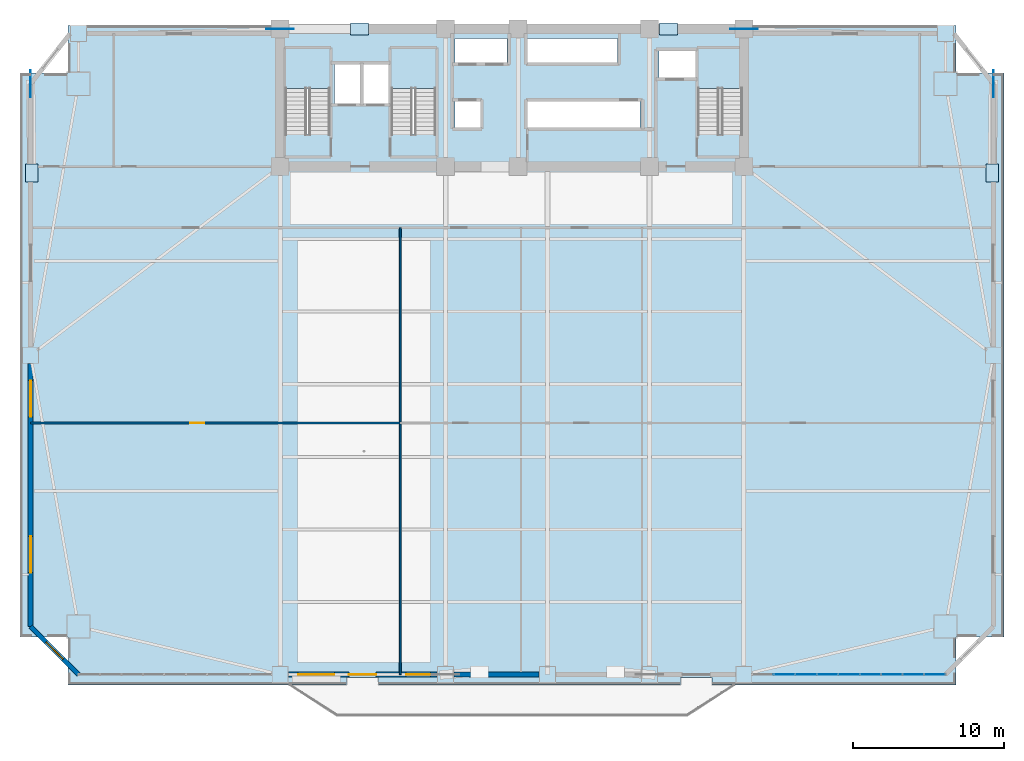
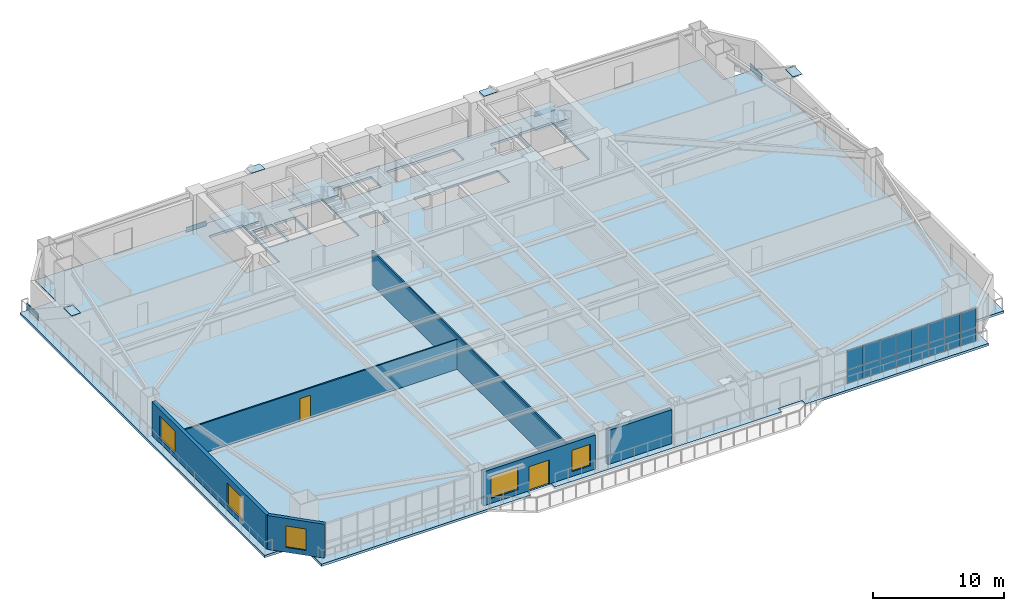
# One storey, part 8 of 17: 24 plates, 6 walls, 5 windows, 4 slabs, 2 doors, 7 openings, 4 elements without a shape of their own.
"""IFC4 building model written with IfcOpenShell, lengths in metres."""

from ifc_helpers import new_model, si_unit, direction, frame, frame_2d, origin, origin_2d, place, context, subcontext, project, spatial, polyline, rectangle, outline, extrude, source, transform, mapped, material, layer, layer_set, type_object, element, fill, aggregate, save


model = new_model("IFC4")

# Units and contexts
model_context = context("Model", 3, precision=1e-05, world=origin(), true_north=direction((0.0, 1.0)))
body_context = subcontext(model_context, "Body", "Model", "MODEL_VIEW")
ifc_project = project(units=[si_unit("LENGTHUNIT", "METRE"), si_unit("AREAUNIT", "SQUARE_METRE"), si_unit("VOLUMEUNIT", "CUBIC_METRE"), si_unit("PLANEANGLEUNIT", "RADIAN"), si_unit("MASSUNIT", "GRAM", prefix="KILO")], contexts=[model_context])

# Site, building, storey
site_placement = place(None, origin())
site = spatial("IfcSite", under=ifc_project, at=site_placement, CompositionType="ELEMENT")
building_placement = place(site_placement, origin())
building = spatial("IfcBuilding", under=site, at=building_placement, Name="Giltprow Tower", CompositionType="ELEMENT")
storey_placement = place(building_placement, frame((0.0, 0.0, 37.10009765625)))
storey = spatial("IfcBuildingStorey", under=building, at=storey_placement, Name="L09", CompositionType="ELEMENT", Elevation=37.10009765625)

# Slab
ifc_material_1 = material(Name="Concrete C40", Category="concrete")
ifc_layer_1 = layer(ifc_material_1, 0.219970703125, Name="Concrete C40")
ifc_layer_set_1 = layer_set([ifc_layer_1], Name="Concrete C40")
slab_type_1 = type_object("IfcSlabType", Name="SLB-OFF-220", PredefinedType="FLOOR", material=ifc_layer_set_1)
slab_1_placement = place(storey_placement, frame((0.0, 0.0, -0.22021484375)))
element("IfcSlab", 1, at=slab_1_placement, inside=storey, type_object=slab_type_1, Name="L09 Structural Composite Floor Slab", PredefinedType="FLOOR", context=body_context, shape_type="SweptSolid", body=[
    extrude(outline(polyline([(5.80908203125, 3.126953125), (5.80908203125, 6.300048828125), (2.635009765625, 6.300048828125), (2.635009765625, 43.6259765625), (5.80908203125, 43.6259765625), (5.80908203125, 46.800048828125), (64.591064453125, 46.800048828125), (64.591064453125, 43.6259765625), (67.764892578125, 43.6259765625), (67.764892578125, 6.300048828125), (64.591064453125, 6.300048828125), (64.591064453125, 3.126953125), (48.449951171875, 3.126953125), (48.449951171875, 3.64697265625), (46.35009765625, 3.64697265625), (46.35009765625, 3.126953125), (26.35009765625, 3.126953125), (26.35009765625, 3.64697265625), (24.25, 3.64697265625), (24.25, 3.126953125), (5.80908203125, 3.126953125)]), holes=[polyline([(33.10009765625, 41.800048828125), (31.419921875, 41.800048828125), (31.419921875, 40.0), (33.10009765625, 40.0), (33.10009765625, 41.800048828125)]), polyline([(23.159912109375, 39.570068359375), (23.159912109375, 45.25), (20.199951171875, 45.25), (20.199951171875, 39.570068359375), (23.159912109375, 39.570068359375)]), polyline([(30.159912109375, 45.25), (27.199951171875, 45.25), (27.199951171875, 39.570068359375), (30.159912109375, 39.570068359375), (30.159912109375, 45.25)]), polyline([(25.169921875, 41.60009765625), (25.169921875, 44.199951171875), (23.449951171875, 44.199951171875), (23.449951171875, 41.60009765625), (25.169921875, 41.60009765625)]), polyline([(27.10009765625, 41.60009765625), (27.10009765625, 44.199951171875), (25.35009765625, 44.199951171875), (25.35009765625, 41.60009765625), (27.10009765625, 41.60009765625)]), polyline([(43.659912109375, 40.0), (43.659912109375, 41.800048828125), (36.239990234375, 41.800048828125), (36.239990234375, 40.0), (43.659912109375, 40.0)]), polyline([(50.4599609375, 39.570068359375), (50.4599609375, 45.25), (47.5, 45.25), (47.5, 39.570068359375), (50.4599609375, 39.570068359375)]), polyline([(47.3798828125, 45.10009765625), (44.919921875, 45.10009765625), (44.919921875, 43.300048828125), (47.3798828125, 43.300048828125), (47.3798828125, 45.10009765625)]), polyline([(34.8798828125, 44.300048828125), (34.8798828125, 45.919921875), (31.419921875, 45.919921875), (31.419921875, 44.300048828125), (34.8798828125, 44.300048828125)]), polyline([(42.169921875, 44.300048828125), (42.169921875, 45.919921875), (36.239990234375, 45.919921875), (36.239990234375, 44.300048828125), (42.169921875, 44.300048828125)])]), origin(), (0.0, 0.0, 1.0), 0.22021484375),
])

# Stair, slab
stair_type_1 = type_object("IfcStairType", Name="STR-ST-1", PredefinedType="HALF_TURN_STAIR", material=ifc_material_1)
stair_1_placement = place(storey_placement, origin())
stair_1 = element("IfcStair", 2, at=stair_1_placement, inside=storey, type_object=stair_type_1, Name="L09 Core Exit Stair ST-1", PredefinedType="HALF_TURN_STAIR")
ifc_layer_2 = layer(ifc_material_1, 0.179931640625, Name="Concrete C40")
ifc_layer_set_2 = layer_set([ifc_layer_2], Name="Concrete C40")
slab_type_2 = type_object("IfcSlabType", Name="SLD-ST-1", PredefinedType="LANDING", material=ifc_layer_set_2)
slab_2_placement = place(storey_placement, frame((0.0, 0.0, 1.77001953125)))
slab_2 = element("IfcSlab", 3, at=slab_2_placement, type_object=slab_type_2, Name="ST-1 landing 1", PredefinedType="LANDING", context=body_context, shape_type="SweptSolid", body=[
    extrude(outline(polyline([(23.159912109375, 42.6298828125), (23.159912109375, 45.25), (20.199951171875, 45.25), (20.199951171875, 42.6298828125), (23.159912109375, 42.6298828125)])), origin(), (0.0, 0.0, 1.0), 0.179931640625),
])
aggregate(stair_1, [slab_2])

stair_type_2 = type_object("IfcStairType", Name="STR-ST-2", PredefinedType="HALF_TURN_STAIR", material=ifc_material_1)
stair_2_placement = place(storey_placement, origin())
stair_2 = element("IfcStair", 4, at=stair_2_placement, inside=storey, type_object=stair_type_2, Name="L09 Core Exit Stair ST-2", PredefinedType="HALF_TURN_STAIR")
ifc_layer_3 = layer(ifc_material_1, 0.18798828125, Name="Concrete C40")
ifc_layer_set_3 = layer_set([ifc_layer_3], Name="Concrete C40")
slab_type_3 = type_object("IfcSlabType", Name="SLD-ST-2", PredefinedType="LANDING", material=ifc_layer_set_3)
slab_3_placement = place(storey_placement, frame((0.0, 0.0, 1.761962890625)))
slab_3 = element("IfcSlab", 5, at=slab_3_placement, type_object=slab_type_3, Name="ST-2 landing 1", PredefinedType="LANDING", context=body_context, shape_type="SweptSolid", body=[
    extrude(outline(polyline([(30.159912109375, 42.6298828125), (30.159912109375, 45.25), (27.199951171875, 45.25), (27.199951171875, 42.6298828125), (30.159912109375, 42.6298828125)])), origin(), (0.0, 0.0, 1.0), 0.18798828125),
])
aggregate(stair_2, [slab_3])

stair_type_3 = type_object("IfcStairType", Name="STR-ST-3", PredefinedType="HALF_TURN_STAIR", material=ifc_material_1)
stair_3_placement = place(storey_placement, origin())
stair_3 = element("IfcStair", 6, at=stair_3_placement, inside=storey, type_object=stair_type_3, Name="L09 Core Exit Stair ST-3", PredefinedType="HALF_TURN_STAIR")
ifc_layer_4 = layer(ifc_material_1, 0.196044921875, Name="Concrete C40")
ifc_layer_set_4 = layer_set([ifc_layer_4], Name="Concrete C40")
slab_type_4 = type_object("IfcSlabType", Name="SLD-ST-3", PredefinedType="LANDING", material=ifc_layer_set_4)
slab_4_placement = place(storey_placement, frame((0.0, 0.0, 1.75390625)))
slab_4 = element("IfcSlab", 7, at=slab_4_placement, type_object=slab_type_4, Name="ST-3 landing 1", PredefinedType="LANDING", context=body_context, shape_type="SweptSolid", body=[
    extrude(outline(polyline([(50.4599609375, 42.6298828125), (50.4599609375, 45.25), (47.5, 45.25), (47.5, 42.6298828125), (50.4599609375, 42.6298828125)])), origin(), (0.0, 0.0, 1.0), 0.196044921875),
])
aggregate(stair_3, [slab_4])

# Plates
ifc_material_2 = material(Name="Structural steel Q420GJC", Category="steel")
plate_type_1 = type_object("IfcPlateType", Name="PLT-NODE-MBN1", PredefinedType="USERDEFINED", material=ifc_material_2)
shared_shape_1 = source(origin(), body_context, "Body", "SweptSolid", [
    extrude(rectangle(XDim=1.800048828125, YDim=0.050048828125, at=origin_2d()), origin(), (0.0, 0.0, 1.0), 1.14990234375),
])
for number, where, z_axis, x_axis, name in (
    (8, (19.85009765625, 46.550048828125, -0.715087890625), (0.0, 0.0, 1.0), (1.0, 0.0, 0.0), "Mega-Brace Node L09-N-LA"),
    (9, (50.550048828125, 46.550048828125, -0.715087890625), (0.0, 0.0, 1.0), (1.0, 0.0, 0.0), "Mega-Brace Node L09-N-RA"),
    (10, (3.3349609375, 42.926025390625, -0.574951171875), (0.0, 0.0, 1.0), (0.0, 1.0, 0.0), "Mega-Brace Node L09-W-RA"),
    (11, (67.06494140625, 42.926025390625, -0.574951171875), (0.0, 0.0, 1.0), (0.0, 1.0, 0.0), "Mega-Brace Node L09-E-RA"),
):
    element("IfcPlate", number, at=place(storey_placement, frame(where, z_axis=z_axis, x_axis=x_axis)), inside=storey, type_object=plate_type_1, Name=name, ObjectType="GUSSET", PredefinedType="USERDEFINED", context=body_context, shape_type="MappedRepresentation", body=[
        mapped(shared_shape_1, transform((0.0, 0.0, 0.0), x_axis=(1.0, 0.0, 0.0), y_axis=(0.0, 1.0, 0.0), z_axis=(0.0, 0.0, 1.0), scale=1.0)),
    ])
plate_type_2 = type_object("IfcPlateType", Name="PLT-CAP-SEAL", PredefinedType="USERDEFINED", material=ifc_material_2)
shared_shape_2 = source(origin(), body_context, "Body", "SweptSolid", [
    extrude(rectangle(XDim=1.199951171875, YDim=0.800048828125, at=origin_2d()), origin(), (0.0, 0.0, 1.0), 0.034912109375),
])
for number, where, z_axis, x_axis, name in (
    (12, (25.10009765625, 46.550048828125, 3.74267578125), (0.0, 0.0, 1.0), (1.0, 0.0, 0.0), "Mega-Brace Node L09-N-LB"),
    (13, (45.56689453125, 46.550048828125, 3.74267578125), (0.0, 0.0, 1.0), (1.0, 0.0, 0.0), "Mega-Brace Node L09-N-RB"),
    (14, (3.4130859375, 37.02587890625, 3.88232421875), (0.0, 0.0, 1.0), (0.0, 1.0, 0.0), "Mega-Brace Node L09-W-RB"),
    (15, (66.987060546875, 37.02587890625, 3.88232421875), (0.0, 0.0, 1.0), (0.0, 1.0, 0.0), "Mega-Brace Node L09-E-RB"),
):
    element("IfcPlate", number, at=place(storey_placement, frame(where, z_axis=z_axis, x_axis=x_axis)), inside=storey, type_object=plate_type_2, Name=name, ObjectType="SPLICE", PredefinedType="USERDEFINED", context=body_context, shape_type="MappedRepresentation", body=[
        mapped(shared_shape_2, transform((0.0, 0.0, 0.0), x_axis=(1.0, 0.0, 0.0), y_axis=(0.0, 1.0, 0.0), z_axis=(0.0, 0.0, 1.0), scale=1.0)),
    ])

# Curtain wall, plates
ifc_material_3 = material(Name="Anodized bronze", Category="metal")
ifc_layer_5 = layer(ifc_material_3, 0.179931640625, Name="Anodized bronze")
ifc_layer_set_5 = layer_set([ifc_layer_5], Name="Anodized bronze")
curtain_wall_type = type_object("IfcCurtainWallType", Name="CW-OFF-RECESSED", PredefinedType="NOTDEFINED", material=ifc_layer_set_5)
curtain_wall_placement = place(storey_placement, origin())
curtain_wall = element("IfcCurtainWall", 16, at=curtain_wall_placement, inside=storey, type_object=curtain_wall_type, Name="L09 South Recessed Curtain Wall 6", PredefinedType="NOTDEFINED")
ifc_material_4 = material(Name="Insulated glass", Category="glass")
plate_type_3 = type_object("IfcPlateType", Name="CW-PANEL-IGU-28", PredefinedType="CURTAIN_PANEL", material=ifc_material_4)
shared_shape_3 = source(origin(), body_context, "Body", "SweptSolid", [
    extrude(rectangle(XDim=1.39111328125, YDim=0.028076171875, at=origin_2d()), origin(), (0.0, 0.0, 1.0), 1.259033203125),
])
plate_1_placement = place(storey_placement, frame((53.23193359375, 3.826904296875, 0.05419921875), z_axis=(0.0, 0.0, 1.0), x_axis=(1.0, 0.0, 0.0)))
plate_1 = element("IfcPlate", 17, at=plate_1_placement, type_object=plate_type_3, Name="L09 South Recessed Curtain Wall 6 Glazing Panel 2-1", PredefinedType="CURTAIN_PANEL", context=body_context, shape_type="MappedRepresentation", body=[
    mapped(shared_shape_3, transform((0.0, 0.0, 0.0), x_axis=(1.0, 0.0, 0.0), y_axis=(0.0, 1.0, 0.0), z_axis=(0.0, 0.0, 1.0), scale=1.0)),
])
plate_2_placement = place(storey_placement, frame((54.653076171875, 3.826904296875, 0.05419921875), z_axis=(0.0, 0.0, 1.0), x_axis=(1.0, 0.0, 0.0)))
plate_2 = element("IfcPlate", 18, at=plate_2_placement, type_object=plate_type_3, Name="L09 South Recessed Curtain Wall 6 Glazing Panel 3-1", PredefinedType="CURTAIN_PANEL", context=body_context, shape_type="MappedRepresentation", body=[
    mapped(shared_shape_3, transform((0.0, 0.0, 0.0), x_axis=(1.0, 0.0, 0.0), y_axis=(0.0, 1.0, 0.0), z_axis=(0.0, 0.0, 1.0), scale=1.0)),
])
plate_3_placement = place(storey_placement, frame((56.073974609375, 3.826904296875, 0.05419921875), z_axis=(0.0, 0.0, 1.0), x_axis=(1.0, 0.0, 0.0)))
plate_3 = element("IfcPlate", 19, at=plate_3_placement, type_object=plate_type_3, Name="L09 South Recessed Curtain Wall 6 Glazing Panel 4-1", PredefinedType="CURTAIN_PANEL", context=body_context, shape_type="MappedRepresentation", body=[
    mapped(shared_shape_3, transform((0.0, 0.0, 0.0), x_axis=(1.0, 0.0, 0.0), y_axis=(0.0, 1.0, 0.0), z_axis=(0.0, 0.0, 1.0), scale=1.0)),
])
plate_4_placement = place(storey_placement, frame((57.4951171875, 3.826904296875, 0.05419921875), z_axis=(0.0, 0.0, 1.0), x_axis=(1.0, 0.0, 0.0)))
plate_4 = element("IfcPlate", 20, at=plate_4_placement, type_object=plate_type_3, Name="L09 South Recessed Curtain Wall 6 Glazing Panel 5-1", PredefinedType="CURTAIN_PANEL", context=body_context, shape_type="MappedRepresentation", body=[
    mapped(shared_shape_3, transform((0.0, 0.0, 0.0), x_axis=(1.0, 0.0, 0.0), y_axis=(0.0, 1.0, 0.0), z_axis=(0.0, 0.0, 1.0), scale=1.0)),
])
plate_5_placement = place(storey_placement, frame((58.9169921875, 3.826904296875, 0.05419921875), z_axis=(0.0, 0.0, 1.0), x_axis=(1.0, 0.0, 0.0)))
plate_5 = element("IfcPlate", 21, at=plate_5_placement, type_object=plate_type_3, Name="L09 South Recessed Curtain Wall 6 Glazing Panel 6-1", PredefinedType="CURTAIN_PANEL", context=body_context, shape_type="MappedRepresentation", body=[
    mapped(shared_shape_3, transform((0.0, 0.0, 0.0), x_axis=(1.0, 0.0, 0.0), y_axis=(0.0, 1.0, 0.0), z_axis=(0.0, 0.0, 1.0), scale=1.0)),
])
plate_6_placement = place(storey_placement, frame((60.337890625, 3.826904296875, 0.05419921875), z_axis=(0.0, 0.0, 1.0), x_axis=(1.0, 0.0, 0.0)))
plate_6 = element("IfcPlate", 22, at=plate_6_placement, type_object=plate_type_3, Name="L09 South Recessed Curtain Wall 6 Glazing Panel 7-1", PredefinedType="CURTAIN_PANEL", context=body_context, shape_type="MappedRepresentation", body=[
    mapped(shared_shape_3, transform((0.0, 0.0, 0.0), x_axis=(1.0, 0.0, 0.0), y_axis=(0.0, 1.0, 0.0), z_axis=(0.0, 0.0, 1.0), scale=1.0)),
])
plate_7_placement = place(storey_placement, frame((61.759033203125, 3.826904296875, 0.05419921875), z_axis=(0.0, 0.0, 1.0), x_axis=(1.0, 0.0, 0.0)))
plate_7 = element("IfcPlate", 23, at=plate_7_placement, type_object=plate_type_3, Name="L09 South Recessed Curtain Wall 6 Glazing Panel 8-1", PredefinedType="CURTAIN_PANEL", context=body_context, shape_type="MappedRepresentation", body=[
    mapped(shared_shape_3, transform((0.0, 0.0, 0.0), x_axis=(1.0, 0.0, 0.0), y_axis=(0.0, 1.0, 0.0), z_axis=(0.0, 0.0, 1.0), scale=1.0)),
])
plate_8_placement = place(storey_placement, frame((63.179931640625, 3.826904296875, 0.05419921875), z_axis=(0.0, 0.0, 1.0), x_axis=(1.0, 0.0, 0.0)))
plate_8 = element("IfcPlate", 24, at=plate_8_placement, type_object=plate_type_3, Name="L09 South Recessed Curtain Wall 6 Glazing Panel 9-1", PredefinedType="CURTAIN_PANEL", context=body_context, shape_type="MappedRepresentation", body=[
    mapped(shared_shape_3, transform((0.0, 0.0, 0.0), x_axis=(1.0, 0.0, 0.0), y_axis=(0.0, 1.0, 0.0), z_axis=(0.0, 0.0, 1.0), scale=1.0)),
])
shared_shape_4 = source(origin(), body_context, "Body", "SweptSolid", [
    extrude(rectangle(XDim=1.39111328125, YDim=0.028076171875, at=origin_2d()), origin(), (0.0, 0.0, 1.0), 1.764892578125),
])
plate_9_placement = place(storey_placement, frame((53.23193359375, 3.826904296875, 1.34033203125), z_axis=(0.0, 0.0, 1.0), x_axis=(1.0, 0.0, 0.0)))
plate_9 = element("IfcPlate", 25, at=plate_9_placement, type_object=plate_type_3, Name="L09 South Recessed Curtain Wall 6 Glazing Panel 2-2", PredefinedType="CURTAIN_PANEL", context=body_context, shape_type="MappedRepresentation", body=[
    mapped(shared_shape_4, transform((0.0, 0.0, 0.0), x_axis=(1.0, 0.0, 0.0), y_axis=(0.0, 1.0, 0.0), z_axis=(0.0, 0.0, 1.0), scale=1.0)),
])
plate_10_placement = place(storey_placement, frame((54.653076171875, 3.826904296875, 1.34033203125), z_axis=(0.0, 0.0, 1.0), x_axis=(1.0, 0.0, 0.0)))
plate_10 = element("IfcPlate", 26, at=plate_10_placement, type_object=plate_type_3, Name="L09 South Recessed Curtain Wall 6 Glazing Panel 3-2", PredefinedType="CURTAIN_PANEL", context=body_context, shape_type="MappedRepresentation", body=[
    mapped(shared_shape_4, transform((0.0, 0.0, 0.0), x_axis=(1.0, 0.0, 0.0), y_axis=(0.0, 1.0, 0.0), z_axis=(0.0, 0.0, 1.0), scale=1.0)),
])
plate_11_placement = place(storey_placement, frame((56.073974609375, 3.826904296875, 1.34033203125), z_axis=(0.0, 0.0, 1.0), x_axis=(1.0, 0.0, 0.0)))
plate_11 = element("IfcPlate", 27, at=plate_11_placement, type_object=plate_type_3, Name="L09 South Recessed Curtain Wall 6 Glazing Panel 4-2", PredefinedType="CURTAIN_PANEL", context=body_context, shape_type="MappedRepresentation", body=[
    mapped(shared_shape_4, transform((0.0, 0.0, 0.0), x_axis=(1.0, 0.0, 0.0), y_axis=(0.0, 1.0, 0.0), z_axis=(0.0, 0.0, 1.0), scale=1.0)),
])
plate_12_placement = place(storey_placement, frame((57.4951171875, 3.826904296875, 1.34033203125), z_axis=(0.0, 0.0, 1.0), x_axis=(1.0, 0.0, 0.0)))
plate_12 = element("IfcPlate", 28, at=plate_12_placement, type_object=plate_type_3, Name="L09 South Recessed Curtain Wall 6 Glazing Panel 5-2", PredefinedType="CURTAIN_PANEL", context=body_context, shape_type="MappedRepresentation", body=[
    mapped(shared_shape_4, transform((0.0, 0.0, 0.0), x_axis=(1.0, 0.0, 0.0), y_axis=(0.0, 1.0, 0.0), z_axis=(0.0, 0.0, 1.0), scale=1.0)),
])
plate_13_placement = place(storey_placement, frame((58.9169921875, 3.826904296875, 1.34033203125), z_axis=(0.0, 0.0, 1.0), x_axis=(1.0, 0.0, 0.0)))
plate_13 = element("IfcPlate", 29, at=plate_13_placement, type_object=plate_type_3, Name="L09 South Recessed Curtain Wall 6 Glazing Panel 6-2", PredefinedType="CURTAIN_PANEL", context=body_context, shape_type="MappedRepresentation", body=[
    mapped(shared_shape_4, transform((0.0, 0.0, 0.0), x_axis=(1.0, 0.0, 0.0), y_axis=(0.0, 1.0, 0.0), z_axis=(0.0, 0.0, 1.0), scale=1.0)),
])
plate_14_placement = place(storey_placement, frame((60.337890625, 3.826904296875, 1.34033203125), z_axis=(0.0, 0.0, 1.0), x_axis=(1.0, 0.0, 0.0)))
plate_14 = element("IfcPlate", 30, at=plate_14_placement, type_object=plate_type_3, Name="L09 South Recessed Curtain Wall 6 Glazing Panel 7-2", PredefinedType="CURTAIN_PANEL", context=body_context, shape_type="MappedRepresentation", body=[
    mapped(shared_shape_4, transform((0.0, 0.0, 0.0), x_axis=(1.0, 0.0, 0.0), y_axis=(0.0, 1.0, 0.0), z_axis=(0.0, 0.0, 1.0), scale=1.0)),
])
plate_15_placement = place(storey_placement, frame((61.759033203125, 3.826904296875, 1.34033203125), z_axis=(0.0, 0.0, 1.0), x_axis=(1.0, 0.0, 0.0)))
plate_15 = element("IfcPlate", 31, at=plate_15_placement, type_object=plate_type_3, Name="L09 South Recessed Curtain Wall 6 Glazing Panel 8-2", PredefinedType="CURTAIN_PANEL", context=body_context, shape_type="MappedRepresentation", body=[
    mapped(shared_shape_4, transform((0.0, 0.0, 0.0), x_axis=(1.0, 0.0, 0.0), y_axis=(0.0, 1.0, 0.0), z_axis=(0.0, 0.0, 1.0), scale=1.0)),
])
plate_16_placement = place(storey_placement, frame((63.179931640625, 3.826904296875, 1.34033203125), z_axis=(0.0, 0.0, 1.0), x_axis=(1.0, 0.0, 0.0)))
plate_16 = element("IfcPlate", 32, at=plate_16_placement, type_object=plate_type_3, Name="L09 South Recessed Curtain Wall 6 Glazing Panel 9-2", PredefinedType="CURTAIN_PANEL", context=body_context, shape_type="MappedRepresentation", body=[
    mapped(shared_shape_4, transform((0.0, 0.0, 0.0), x_axis=(1.0, 0.0, 0.0), y_axis=(0.0, 1.0, 0.0), z_axis=(0.0, 0.0, 1.0), scale=1.0)),
])
aggregate(curtain_wall, [plate_1, plate_9, plate_2, plate_10, plate_3, plate_11, plate_4, plate_12, plate_5, plate_13, plate_6, plate_14, plate_7, plate_15, plate_8, plate_16])

# Wall, opening, window
ifc_material_5 = material(Name="Precast concrete C40", Category="concrete")
ifc_layer_6 = layer(ifc_material_5, 0.300048828125, Name="Precast concrete C40")
ifc_layer_set_6 = layer_set([ifc_layer_6], Name="Precast concrete C40")
wall_type_1 = type_object("IfcWallType", Name="EW-NOTCH-CHAMFER-300", PredefinedType="SOLIDWALL", material=ifc_layer_set_6)
wall_1_placement = place(storey_placement, frame((3.3349609375, 7.0009765625, 0.0), z_axis=(0.0, 0.0, 1.0), x_axis=(0.707106781187, -0.707106781187, 0.0)))
wall_1 = element("IfcWall", 33, at=wall_1_placement, inside=storey, type_object=wall_type_1, Name="L09 Corner Notch Wall SW", PredefinedType="SOLIDWALL", context=body_context, shape_type="SweptSolid", body=[
    extrude(rectangle(XDim=4.48876953125, YDim=0.300048828125, at=frame_2d((2.244384765625, 0.0))), origin(), (0.0, 0.0, 1.0), 3.159912109375),
])
opening_1_placement = place(wall_1_placement, frame((1.444091796875, 0.0, 0.449951171875)))
opening_1 = element("IfcOpeningElement", 34, at=opening_1_placement, cuts=wall_1, Name="Opening WN17", PredefinedType="OPENING", context=body_context, shape_type="SweptSolid", body=[
    extrude(rectangle(XDim=1.60009765625, YDim=2.0, at=frame_2d((0.800048828125, 1.0))), frame((0.0, 0.159912109375, 0.0), z_axis=(0.0, -1.0, 0.0), x_axis=(1.0, 0.0, 0.0)), (0.0, 0.0, 1.0), 0.320068359375),
])
window_type_1 = type_object("IfcWindowType", Name="WN-COR-1600x2000", PartitioningType="SINGLE_PANEL", PredefinedType="WINDOW", material=ifc_material_4)
shared_shape_5 = source(origin(), body_context, "Body", "SweptSolid", [
    extrude(rectangle(XDim=1.60009765625, YDim=2.0, at=frame_2d((0.800048828125, 1.0))), frame((0.0, 0.030029296875, 0.0), z_axis=(0.0, -1.0, 0.0), x_axis=(1.0, 0.0, 0.0)), (0.0, 0.0, 1.0), 0.06005859375),
])
window_1_placement = place(opening_1_placement, origin())
window_1 = element("IfcWindow", 35, at=window_1_placement, inside=storey, type_object=window_type_1, Name="L09 Corner Notch Window SW", OverallHeight=2.0, OverallWidth=1.60009765625, PartitioningType="SINGLE_PANEL", PredefinedType="WINDOW", context=body_context, shape_type="MappedRepresentation", body=[
    mapped(shared_shape_5, transform((0.0, 0.0, 0.0), x_axis=(1.0, 0.0, 0.0), y_axis=(0.0, 1.0, 0.0), z_axis=(0.0, 0.0, 1.0), scale=1.0)),
])
fill(opening_1, window_1)

# Wall, openings, windows, door
ifc_layer_7 = layer(ifc_material_5, 0.320068359375, Name="Precast concrete C40")
ifc_layer_set_7 = layer_set([ifc_layer_7], Name="Precast concrete C40")
wall_type_2 = type_object("IfcWallType", Name="EW-TOW-STONE-320", PredefinedType="SOLIDWALL", material=ifc_layer_set_7)
wall_2_placement = place(storey_placement, frame((20.39990234375, 3.826904296875, 0.0), z_axis=(0.0, 0.0, 1.0), x_axis=(1.0, 0.0, 0.0)))
wall_2 = element("IfcWall", 36, at=wall_2_placement, inside=storey, type_object=wall_type_2, Name="L09 South Expressed Frame Wall 2", PredefinedType="SOLIDWALL", context=body_context, shape_type="SweptSolid", body=[
    extrude(rectangle(XDim=9.85009765625, YDim=0.320068359375, at=frame_2d((4.925048828125, 0.0))), origin(), (0.0, 0.0, 1.0), 3.159912109375),
])
opening_2_placement = place(wall_2_placement, frame((4.0, 0.0, 0.0)))
opening_2 = element("IfcOpeningElement", 37, at=opening_2_placement, cuts=wall_2, Name="Opening ED25", PredefinedType="OPENING", context=body_context, shape_type="SweptSolid", body=[
    extrude(rectangle(XDim=1.800048828125, YDim=2.25, at=frame_2d((0.89990234375, 1.125))), frame((0.0, 0.169921875, 0.0), z_axis=(0.0, -1.0, 0.0), x_axis=(1.0, 0.0, 0.0)), (0.0, 0.0, 1.0), 0.340087890625),
])
opening_3_placement = place(wall_2_placement, frame((0.64990234375, 0.0, 0.449951171875)))
opening_3 = element("IfcOpeningElement", 38, at=opening_3_placement, cuts=wall_2, Name="Opening WN29", PredefinedType="OPENING", context=body_context, shape_type="SweptSolid", body=[
    extrude(rectangle(XDim=2.39990234375, YDim=2.10009765625, at=frame_2d((1.199951171875, 1.050048828125))), frame((0.0, 0.169921875, 0.0), z_axis=(0.0, -1.0, 0.0), x_axis=(1.0, 0.0, 0.0)), (0.0, 0.0, 1.0), 0.340087890625),
])
opening_4_placement = place(wall_2_placement, frame((7.800048828125, 0.0, 0.449951171875)))
opening_4 = element("IfcOpeningElement", 39, at=opening_4_placement, cuts=wall_2, Name="Opening WN17", PredefinedType="OPENING", context=body_context, shape_type="SweptSolid", body=[
    extrude(rectangle(XDim=1.60009765625, YDim=2.0, at=frame_2d((0.800048828125, 1.0))), frame((0.0, 0.169921875, 0.0), z_axis=(0.0, -1.0, 0.0), x_axis=(1.0, 0.0, 0.0)), (0.0, 0.0, 1.0), 0.340087890625),
])
window_type_2 = type_object("IfcWindowType", Name="WN-OFF-2400x2100", PartitioningType="DOUBLE_PANEL_VERTICAL", PredefinedType="WINDOW", material=ifc_material_4)
shared_shape_6 = source(origin(), body_context, "Body", "SweptSolid", [
    extrude(rectangle(XDim=2.39990234375, YDim=2.10009765625, at=frame_2d((1.199951171875, 1.050048828125))), frame((0.0, 0.030029296875, 0.0), z_axis=(0.0, -1.0, 0.0), x_axis=(1.0, 0.0, 0.0)), (0.0, 0.0, 1.0), 0.06005859375),
])
window_2_placement = place(opening_3_placement, origin())
window_2 = element("IfcWindow", 40, at=window_2_placement, inside=storey, type_object=window_type_2, Name="L09 South Window 2A", OverallHeight=2.10009765625, OverallWidth=2.39990234375, PartitioningType="SINGLE_PANEL", PredefinedType="WINDOW", context=body_context, shape_type="MappedRepresentation", body=[
    mapped(shared_shape_6, transform((0.0, 0.0, 0.0), x_axis=(1.0, 0.0, 0.0), y_axis=(0.0, 1.0, 0.0), z_axis=(0.0, 0.0, 1.0), scale=1.0)),
])
fill(opening_3, window_2)
window_3_placement = place(opening_4_placement, origin())
window_3 = element("IfcWindow", 41, at=window_3_placement, inside=storey, type_object=window_type_1, Name="L09 South Window 2B", OverallHeight=2.0, OverallWidth=1.60009765625, PartitioningType="SINGLE_PANEL", PredefinedType="WINDOW", context=body_context, shape_type="MappedRepresentation", body=[
    mapped(shared_shape_5, transform((0.0, 0.0, 0.0), x_axis=(1.0, 0.0, 0.0), y_axis=(0.0, 1.0, 0.0), z_axis=(0.0, 0.0, 1.0), scale=1.0)),
])
fill(opening_4, window_3)
ifc_material_6 = material(Name="Anodized bronze and glass", Category="glass")
door_type_1 = type_object("IfcDoorType", Name="DR-BALC-SLIDE-1800", OperationType="SLIDING_TO_LEFT", PredefinedType="DOOR", material=ifc_material_6)
shared_shape_7 = source(origin(), body_context, "Body", "SweptSolid", [
    extrude(rectangle(XDim=1.800048828125, YDim=2.25, at=frame_2d((0.89990234375, 1.125))), frame((0.0, 0.02490234375, 0.0), z_axis=(0.0, -1.0, 0.0), x_axis=(1.0, 0.0, 0.0)), (0.0, 0.0, 1.0), 0.050048828125),
])
door_1_placement = place(opening_2_placement, origin())
door_1 = element("IfcDoor", 42, at=door_1_placement, inside=storey, type_object=door_type_1, Name="L09 Waterfront Balcony Sliding Door 1", OperationType="SLIDING_TO_LEFT", OverallHeight=2.25, OverallWidth=1.800048828125, PredefinedType="DOOR", context=body_context, shape_type="MappedRepresentation", body=[
    mapped(shared_shape_7, transform((0.0, 0.0, 0.0), x_axis=(1.0, 0.0, 0.0), y_axis=(0.0, 1.0, 0.0), z_axis=(0.0, 0.0, 1.0), scale=1.0)),
])
fill(opening_2, door_1)

# Wall
wall_3_placement = place(storey_placement, frame((31.35009765625, 3.826904296875, 0.0), z_axis=(0.0, 0.0, 1.0), x_axis=(1.0, 0.0, 0.0)))
element("IfcWall", 43, at=wall_3_placement, inside=storey, type_object=wall_type_2, Name="L09 South Expressed Frame Wall 3", PredefinedType="SOLIDWALL", context=body_context, shape_type="SweptSolid", body=[
    extrude(rectangle(XDim=5.64990234375, YDim=0.320068359375, at=frame_2d((2.824951171875, 0.0))), origin(), (0.0, 0.0, 1.0), 3.159912109375),
])

# Wall, openings, windows
wall_4_placement = place(storey_placement, frame((3.3349609375, 7.0009765625, 0.0), z_axis=(0.0, 0.0, 1.0), x_axis=(0.0, 1.0, 0.0)))
wall_4 = element("IfcWall", 44, at=wall_4_placement, inside=storey, type_object=wall_type_2, Name="L09 W Wing Masonry Wall 1", PredefinedType="SOLIDWALL", context=body_context, shape_type="SweptSolid", body=[
    extrude(rectangle(XDim=17.412109375, YDim=0.320068359375, at=frame_2d((8.7060546875, 0.0))), origin(), (0.0, 0.0, 1.0), 3.159912109375),
])
opening_5_placement = place(wall_4_placement, frame((3.56689453125, 0.0, 0.449951171875)))
opening_5 = element("IfcOpeningElement", 45, at=opening_5_placement, cuts=wall_4, Name="Opening WN29", PredefinedType="OPENING", context=body_context, shape_type="SweptSolid", body=[
    extrude(rectangle(XDim=2.39990234375, YDim=2.10009765625, at=frame_2d((1.199951171875, 1.050048828125))), frame((0.0, 0.169921875, 0.0), z_axis=(0.0, -1.0, 0.0), x_axis=(1.0, 0.0, 0.0)), (0.0, 0.0, 1.0), 0.340087890625),
])
opening_6_placement = place(wall_4_placement, frame((13.875, 0.0, 0.449951171875)))
opening_6 = element("IfcOpeningElement", 46, at=opening_6_placement, cuts=wall_4, Name="Opening WN29", PredefinedType="OPENING", context=body_context, shape_type="SweptSolid", body=[
    extrude(rectangle(XDim=2.39990234375, YDim=2.10009765625, at=frame_2d((1.199951171875, 1.050048828125))), frame((0.0, 0.169921875, 0.0), z_axis=(0.0, -1.0, 0.0), x_axis=(1.0, 0.0, 0.0)), (0.0, 0.0, 1.0), 0.340087890625),
])
window_4_placement = place(opening_5_placement, origin())
window_4 = element("IfcWindow", 47, at=window_4_placement, inside=storey, type_object=window_type_2, Name="L09 W Wing Window 1-1A", OverallHeight=2.10009765625, OverallWidth=2.39990234375, PartitioningType="SINGLE_PANEL", PredefinedType="WINDOW", context=body_context, shape_type="MappedRepresentation", body=[
    mapped(shared_shape_6, transform((0.0, 0.0, 0.0), x_axis=(1.0, 0.0, 0.0), y_axis=(0.0, 1.0, 0.0), z_axis=(0.0, 0.0, 1.0), scale=1.0)),
])
fill(opening_5, window_4)
window_5_placement = place(opening_6_placement, origin())
window_5 = element("IfcWindow", 48, at=window_5_placement, inside=storey, type_object=window_type_2, Name="L09 W Wing Window 1-1B", OverallHeight=2.10009765625, OverallWidth=2.39990234375, PartitioningType="SINGLE_PANEL", PredefinedType="WINDOW", context=body_context, shape_type="MappedRepresentation", body=[
    mapped(shared_shape_6, transform((0.0, 0.0, 0.0), x_axis=(1.0, 0.0, 0.0), y_axis=(0.0, 1.0, 0.0), z_axis=(0.0, 0.0, 1.0), scale=1.0)),
])
fill(opening_6, window_5)

# Wall, opening, door
ifc_material_7 = material(Name="Gypsum stud partition", Category="gypsum")
ifc_layer_8 = layer(ifc_material_7, 0.1201171875, Name="Gypsum stud partition")
ifc_layer_set_8 = layer_set([ifc_layer_8], Name="Gypsum stud partition")
wall_type_3 = type_object("IfcWallType", Name="IW-ROOM-120", PredefinedType="PARTITIONING", material=ifc_layer_set_8)
wall_5_placement = place(storey_placement, frame((3.3349609375, 20.47607421875, 0.0), z_axis=(0.0, 0.0, 1.0), x_axis=(1.0, 0.0, 0.0)))
wall_5 = element("IfcWall", 49, at=wall_5_placement, inside=storey, type_object=wall_type_3, Name="L09 Office Mid Wall 1", PredefinedType="PARTITIONING", context=body_context, shape_type="SweptSolid", body=[
    extrude(rectangle(XDim=24.465087890625, YDim=0.1201171875, at=frame_2d((12.232421875, 0.0))), origin(), (0.0, 0.0, 1.0), 2.764892578125),
])
opening_7_placement = place(wall_5_placement, frame((10.553955078125, 0.0, 0.0)))
opening_7 = element("IfcOpeningElement", 50, at=opening_7_placement, cuts=wall_5, Name="Opening ID11", PredefinedType="OPENING", context=body_context, shape_type="SweptSolid", body=[
    extrude(rectangle(XDim=0.949951171875, YDim=2.10009765625, at=frame_2d((0.47509765625, 1.050048828125))), frame((0.0, 0.070068359375, 0.0), z_axis=(0.0, -1.0, 0.0), x_axis=(1.0, 0.0, 0.0)), (0.0, 0.0, 1.0), 0.14013671875),
])
ifc_material_8 = material(Name="Engineered timber", Category="wood")
door_type_2 = type_object("IfcDoorType", Name="DR-ROOM-950", OperationType="SINGLE_SWING_RIGHT", PredefinedType="DOOR", material=ifc_material_8)
shared_shape_8 = source(origin(), body_context, "Body", "SweptSolid", [
    extrude(rectangle(XDim=0.949951171875, YDim=2.10009765625, at=frame_2d((0.47509765625, 1.050048828125))), frame((0.0, 0.02490234375, 0.0), z_axis=(0.0, -1.0, 0.0), x_axis=(1.0, 0.0, 0.0)), (0.0, 0.0, 1.0), 0.050048828125),
])
door_2_placement = place(opening_7_placement, origin())
door_2 = element("IfcDoor", 51, at=door_2_placement, inside=storey, type_object=door_type_2, Name="L09 Records Archive Store 1 Inner Door", OperationType="SINGLE_SWING_RIGHT", OverallHeight=2.10009765625, OverallWidth=0.949951171875, PredefinedType="DOOR", context=body_context, shape_type="MappedRepresentation", body=[
    mapped(shared_shape_8, transform((0.0, 0.0, 0.0), x_axis=(1.0, 0.0, 0.0), y_axis=(0.0, 1.0, 0.0), z_axis=(0.0, 0.0, 1.0), scale=1.0)),
])
fill(opening_7, door_2)

# Wall
wall_6_placement = place(storey_placement, frame((27.800048828125, 3.826904296875, 0.0), z_axis=(0.0, 0.0, 1.0), x_axis=(0.0, 1.0, 0.0)))
element("IfcWall", 52, at=wall_6_placement, inside=storey, type_object=wall_type_3, Name="L09 Office Partition 1", PredefinedType="PARTITIONING", context=body_context, shape_type="SweptSolid", body=[
    extrude(rectangle(XDim=29.572998046875, YDim=0.1201171875, at=frame_2d((14.78662109375, 0.0))), origin(), (0.0, 0.0, 1.0), 3.164794921875),
])

save(model, "model.ifc")
